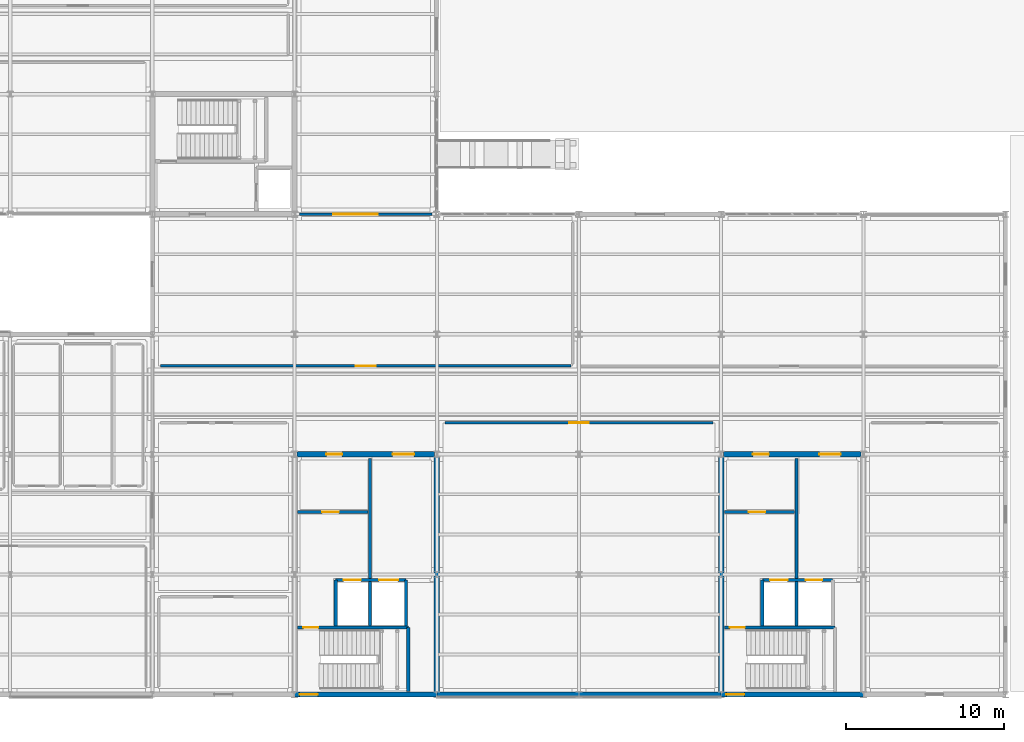
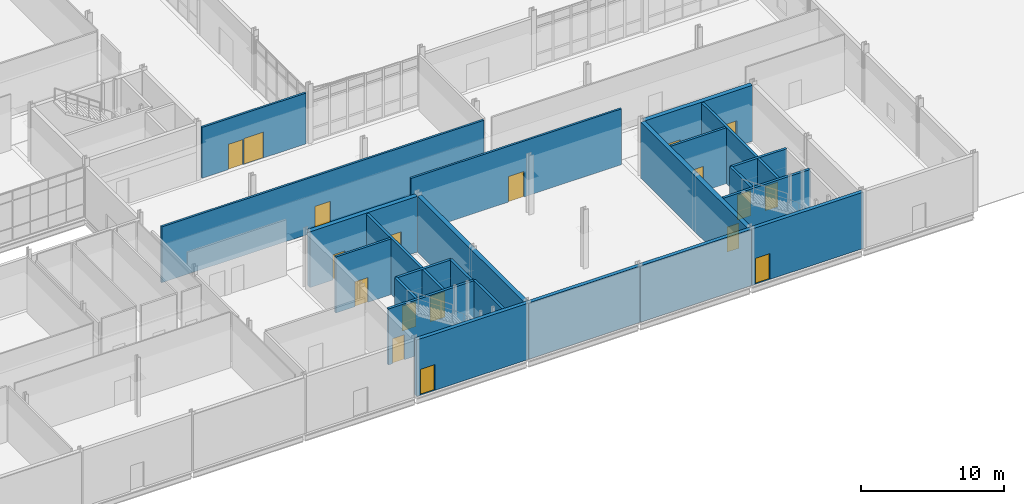
# One storey, part 141 of 161: 23 walls, 18 doors, 18 openings.
"""IFC4 building model written with IfcOpenShell, lengths in metres."""

from ifc_helpers import new_model, si_unit, direction, frame, frame_2d, origin, place, context, subcontext, project, spatial, rectangle, extrude, material, layer, layer_set, type_object, element, fill, save


model = new_model("IFC4")

# Units and contexts
model_context = context("Model", 3, precision=1e-05, world=origin(), true_north=direction((0.0, 1.0)))
body_context = subcontext(model_context, "Body", "Model", "MODEL_VIEW")
ifc_project = project(units=[si_unit("LENGTHUNIT", "METRE"), si_unit("AREAUNIT", "SQUARE_METRE"), si_unit("VOLUMEUNIT", "CUBIC_METRE"), si_unit("PLANEANGLEUNIT", "RADIAN"), si_unit("MASSUNIT", "GRAM", prefix="KILO")], contexts=[model_context])

# Site, building, storey
site_placement = place(None, origin())
site = spatial("IfcSite", under=ifc_project, at=site_placement, CompositionType="ELEMENT")
building_placement = place(site_placement, origin())
building = spatial("IfcBuilding", under=site, at=building_placement, Name="Caisbarro Railhouse Central Library", CompositionType="ELEMENT")
storey_placement = place(building_placement, origin())
storey = spatial("IfcBuildingStorey", under=building, at=storey_placement, Name="L00", CompositionType="ELEMENT", Elevation=0.0)

# Wall, openings, doors
ifc_material_1 = material(Name="Concrete C40", Category="concrete")
ifc_layer_1 = layer(ifc_material_1, 0.35009765625, Name="Concrete C40")
ifc_layer_set_1 = layer_set([ifc_layer_1], Name="Concrete C40")
wall_type_1 = type_object("IfcWallType", Name="WAL-CW35", PredefinedType="SHEAR", material=ifc_layer_set_1)
wall_1_placement = place(storey_placement, frame((63.159912109375, 15.199951171875, 0.0), z_axis=(0.0, 0.0, 1.0), x_axis=(1.0, 0.0, 0.0)))
wall_1 = element("IfcWall", 1, at=wall_1_placement, inside=storey, type_object=wall_type_1, Name="CW35 RC core shear wall L00 #4", PredefinedType="SHEAR", context=body_context, shape_type="SweptSolid", body=[
    extrude(rectangle(XDim=8.68017578125, YDim=0.35009765625, at=frame_2d((4.340087890625, 0.0))), origin(), (0.0, 0.0, 1.0), 4.760009765625),
])
opening_1_placement = place(wall_1_placement, frame((1.85009765625, 0.0, 0.0)))
opening_1 = element("IfcOpeningElement", 2, at=opening_1_placement, cuts=wall_1, Name="Opening FD05", PredefinedType="OPENING", context=body_context, shape_type="SweptSolid", body=[
    extrude(rectangle(XDim=1.0, YDim=2.14990234375, at=frame_2d((0.5, 1.074951171875))), frame((0.0, 0.18505859375, 0.0), z_axis=(0.0, -1.0, 0.0), x_axis=(1.0, 0.0, 0.0)), (0.0, 0.0, 1.0), 0.3701171875),
])
opening_2_placement = place(wall_1_placement, frame((6.050048828125, 0.0, 0.0)))
opening_2 = element("IfcOpeningElement", 3, at=opening_2_placement, cuts=wall_1, Name="Opening FD06", PredefinedType="OPENING", context=body_context, shape_type="SweptSolid", body=[
    extrude(rectangle(XDim=1.35009765625, YDim=2.179931640625, at=frame_2d((0.675048828125, 1.08984375))), frame((0.0, 0.18505859375, 0.0), z_axis=(0.0, -1.0, 0.0), x_axis=(1.0, 0.0, 0.0)), (0.0, 0.0, 1.0), 0.3701171875),
])
ifc_material_2 = material(Name="Fire-rated painted galvanised steel", Category="steel")
door_type_1 = type_object("IfcDoorType", Name="DR-FD05", OperationType="NOTDEFINED", PredefinedType="DOOR", material=ifc_material_2)
door_1_placement = place(opening_1_placement, origin())
door_1 = element("IfcDoor", 4, at=door_1_placement, inside=storey, type_object=door_type_1, Name="Core K1 Vestibule Door FD05 L00-011", OperationType="SINGLE_SWING_LEFT", OverallHeight=2.14990234375, OverallWidth=1.0, PredefinedType="DOOR", context=body_context, shape_type="SweptSolid", body=[
    extrude(rectangle(XDim=1.0, YDim=2.14990234375, at=frame_2d((0.5, 1.074951171875))), frame((0.0, 0.02490234375, 0.0), z_axis=(0.0, -1.0, 0.0), x_axis=(1.0, 0.0, 0.0)), (0.0, 0.0, 1.0), 0.050048828125),
])
fill(opening_1, door_1)
door_type_2 = type_object("IfcDoorType", Name="DR-FD06", OperationType="NOTDEFINED", PredefinedType="DOOR", material=ifc_material_2)
door_2_placement = place(opening_2_placement, origin())
door_2 = element("IfcDoor", 5, at=door_2_placement, inside=storey, type_object=door_type_2, Name="Core K1 Lift Lobby Door FD06 L00-012", OperationType="SINGLE_SWING_RIGHT", OverallHeight=2.179931640625, OverallWidth=1.35009765625, PredefinedType="DOOR", context=body_context, shape_type="SweptSolid", body=[
    extrude(rectangle(XDim=1.35009765625, YDim=2.179931640625, at=frame_2d((0.675048828125, 1.08984375))), frame((0.0, 0.02490234375, 0.0), z_axis=(0.0, -1.0, 0.0), x_axis=(1.0, 0.0, 0.0)), (0.0, 0.0, 1.0), 0.050048828125),
])
fill(opening_2, door_2)

# Wall
wall_2_placement = place(storey_placement, frame((72.0, 0.159912109375, 0.0), z_axis=(0.0, 0.0, 1.0), x_axis=(0.0, 1.0, 0.0)))
element("IfcWall", 6, at=wall_2_placement, inside=storey, type_object=wall_type_1, Name="CW35 RC core shear wall L00 #6", PredefinedType="SHEAR", context=body_context, shape_type="SweptSolid", body=[
    extrude(rectangle(XDim=14.880126953125, YDim=0.35009765625, at=frame_2d((7.43994140625, 0.0))), origin(), (0.0, 0.0, 1.0), 4.760009765625),
])

# Wall, openings, doors
wall_3_placement = place(storey_placement, frame((90.159912109375, 15.199951171875, 0.0), z_axis=(0.0, 0.0, 1.0), x_axis=(1.0, 0.0, 0.0)))
wall_3 = element("IfcWall", 7, at=wall_3_placement, inside=storey, type_object=wall_type_1, Name="CW35 RC core shear wall L00 #23", PredefinedType="SHEAR", context=body_context, shape_type="SweptSolid", body=[
    extrude(rectangle(XDim=8.68017578125, YDim=0.35009765625, at=frame_2d((4.340087890625, 0.0))), origin(), (0.0, 0.0, 1.0), 4.760009765625),
])
opening_3_placement = place(wall_3_placement, frame((1.85009765625, 0.0, 0.0)))
opening_3 = element("IfcOpeningElement", 8, at=opening_3_placement, cuts=wall_3, Name="Opening FD05", PredefinedType="OPENING", context=body_context, shape_type="SweptSolid", body=[
    extrude(rectangle(XDim=1.0, YDim=2.14990234375, at=frame_2d((0.5, 1.074951171875))), frame((0.0, 0.18505859375, 0.0), z_axis=(0.0, -1.0, 0.0), x_axis=(1.0, 0.0, 0.0)), (0.0, 0.0, 1.0), 0.3701171875),
])
opening_4_placement = place(wall_3_placement, frame((6.050048828125, 0.0, 0.0)))
opening_4 = element("IfcOpeningElement", 9, at=opening_4_placement, cuts=wall_3, Name="Opening FD06", PredefinedType="OPENING", context=body_context, shape_type="SweptSolid", body=[
    extrude(rectangle(XDim=1.35009765625, YDim=2.179931640625, at=frame_2d((0.675048828125, 1.08984375))), frame((0.0, 0.18505859375, 0.0), z_axis=(0.0, -1.0, 0.0), x_axis=(1.0, 0.0, 0.0)), (0.0, 0.0, 1.0), 0.3701171875),
])
door_3_placement = place(opening_3_placement, origin())
door_3 = element("IfcDoor", 10, at=door_3_placement, inside=storey, type_object=door_type_1, Name="Core K2 Vestibule Door FD05 L00-053", OperationType="SINGLE_SWING_LEFT", OverallHeight=2.14990234375, OverallWidth=1.0, PredefinedType="DOOR", context=body_context, shape_type="SweptSolid", body=[
    extrude(rectangle(XDim=1.0, YDim=2.14990234375, at=frame_2d((0.5, 1.074951171875))), frame((0.0, 0.02490234375, 0.0), z_axis=(0.0, -1.0, 0.0), x_axis=(1.0, 0.0, 0.0)), (0.0, 0.0, 1.0), 0.050048828125),
])
fill(opening_3, door_3)
door_4_placement = place(opening_4_placement, origin())
door_4 = element("IfcDoor", 11, at=door_4_placement, inside=storey, type_object=door_type_2, Name="Core K2 Lift Lobby Door FD06 L00-054", OperationType="SINGLE_SWING_RIGHT", OverallHeight=2.179931640625, OverallWidth=1.35009765625, PredefinedType="DOOR", context=body_context, shape_type="SweptSolid", body=[
    extrude(rectangle(XDim=1.35009765625, YDim=2.179931640625, at=frame_2d((0.675048828125, 1.08984375))), frame((0.0, 0.02490234375, 0.0), z_axis=(0.0, -1.0, 0.0), x_axis=(1.0, 0.0, 0.0)), (0.0, 0.0, 1.0), 0.050048828125),
])
fill(opening_4, door_4)

# Wall
wall_4_placement = place(storey_placement, frame((90.0, 0.159912109375, 0.0), z_axis=(0.0, 0.0, 1.0), x_axis=(0.0, 1.0, 0.0)))
element("IfcWall", 12, at=wall_4_placement, inside=storey, type_object=wall_type_1, Name="CW35 RC core shear wall L00 #24", PredefinedType="SHEAR", context=body_context, shape_type="SweptSolid", body=[
    extrude(rectangle(XDim=14.880126953125, YDim=0.35009765625, at=frame_2d((7.43994140625, 0.0))), origin(), (0.0, 0.0, 1.0), 4.760009765625),
])

# Wall, opening, door
ifc_layer_2 = layer(ifc_material_1, 0.300048828125, Name="Concrete C40")
ifc_layer_set_2 = layer_set([ifc_layer_2], Name="Concrete C40")
wall_type_2 = type_object("IfcWallType", Name="WAL-EW30", PredefinedType="SOLIDWALL", material=ifc_layer_set_2)
wall_5_placement = place(storey_placement, frame((63.0, 0.0, 0.0), z_axis=(0.0, 0.0, 1.0), x_axis=(1.0, 0.0, 0.0)))
wall_5 = element("IfcWall", 13, at=wall_5_placement, inside=storey, type_object=wall_type_2, Name="EW30 exterior wall L00 #70", PredefinedType="SOLIDWALL", context=body_context, shape_type="SweptSolid", body=[
    extrude(rectangle(XDim=9.0, YDim=0.300048828125, at=frame_2d((4.5, 0.0))), origin(), (0.0, 0.0, 1.0), 4.800048828125),
])
opening_5_placement = place(wall_5_placement, frame((0.320068359375, 0.0, 0.0)))
opening_5 = element("IfcOpeningElement", 14, at=opening_5_placement, cuts=wall_5, Name="Opening ED05", PredefinedType="OPENING", context=body_context, shape_type="SweptSolid", body=[
    extrude(rectangle(XDim=1.14990234375, YDim=2.199951171875, at=frame_2d((0.574951171875, 1.10009765625))), frame((0.0, 0.16015625, 0.0), z_axis=(0.0, -1.0, 0.0), x_axis=(1.0, 0.0, 0.0)), (0.0, 0.0, 1.0), 0.320068359375),
])
ifc_material_3 = material(Name="Galvanised painted hollow steel", Category="steel")
door_type_3 = type_object("IfcDoorType", Name="DR-ED05", OperationType="NOTDEFINED", PredefinedType="DOOR", material=ifc_material_3)
door_5_placement = place(opening_5_placement, frame((1.14990234375, 0.0, 0.0), z_axis=(0.0, 0.0, 1.0), x_axis=(-1.0, 0.0, 0.0)))
door_5 = element("IfcDoor", 15, at=door_5_placement, inside=storey, type_object=door_type_3, Name="Exit Door ED05 L00-16", OperationType="SINGLE_SWING_RIGHT", OverallHeight=2.199951171875, OverallWidth=1.14990234375, PredefinedType="DOOR", context=body_context, shape_type="SweptSolid", body=[
    extrude(rectangle(XDim=1.14990234375, YDim=2.199951171875, at=frame_2d((0.574951171875, 1.10009765625))), frame((0.0, 0.02490234375, 0.0), z_axis=(0.0, -1.0, 0.0), x_axis=(1.0, 0.0, 0.0)), (0.0, 0.0, 1.0), 0.050048828125),
])
fill(opening_5, door_5)

# Walls
for number, where, z_axis, x_axis, name in (
    (16, (72.0, 0.0, 0.0), (0.0, 0.0, 1.0), (1.0, 0.0, 0.0), "EW30 exterior wall L00 #71"),
    (17, (81.0, 0.0, 0.0), (0.0, 0.0, 1.0), (1.0, 0.0, 0.0), "EW30 exterior wall L00 #72"),
):
    element("IfcWall", number, at=place(storey_placement, frame(where, z_axis=z_axis, x_axis=x_axis)), inside=storey, type_object=wall_type_2, Name=name, PredefinedType="SOLIDWALL", context=body_context, shape_type="SweptSolid", body=[
        extrude(rectangle(XDim=9.0, YDim=0.300048828125, at=frame_2d((4.5, 0.0))), origin(), (0.0, 0.0, 1.0), 4.800048828125),
    ])

# Wall, opening, door
wall_6_placement = place(storey_placement, frame((90.0, 0.0, 0.0), z_axis=(0.0, 0.0, 1.0), x_axis=(1.0, 0.0, 0.0)))
wall_6 = element("IfcWall", 18, at=wall_6_placement, inside=storey, type_object=wall_type_2, Name="EW30 exterior wall L00 #74", PredefinedType="SOLIDWALL", context=body_context, shape_type="SweptSolid", body=[
    extrude(rectangle(XDim=9.0, YDim=0.300048828125, at=frame_2d((4.5, 0.0))), origin(), (0.0, 0.0, 1.0), 4.800048828125),
])
opening_6_placement = place(wall_6_placement, frame((0.320068359375, 0.0, 0.0)))
opening_6 = element("IfcOpeningElement", 19, at=opening_6_placement, cuts=wall_6, Name="Opening ED05", PredefinedType="OPENING", context=body_context, shape_type="SweptSolid", body=[
    extrude(rectangle(XDim=1.14990234375, YDim=2.199951171875, at=frame_2d((0.574951171875, 1.10009765625))), frame((0.0, 0.16015625, 0.0), z_axis=(0.0, -1.0, 0.0), x_axis=(1.0, 0.0, 0.0)), (0.0, 0.0, 1.0), 0.320068359375),
])
door_6_placement = place(opening_6_placement, frame((1.14990234375, 0.0, 0.0), z_axis=(0.0, 0.0, 1.0), x_axis=(-1.0, 0.0, 0.0)))
door_6 = element("IfcDoor", 20, at=door_6_placement, inside=storey, type_object=door_type_3, Name="Exit Door ED05 L00-18", OperationType="SINGLE_SWING_LEFT", OverallHeight=2.199951171875, OverallWidth=1.14990234375, PredefinedType="DOOR", context=body_context, shape_type="SweptSolid", body=[
    extrude(rectangle(XDim=1.14990234375, YDim=2.199951171875, at=frame_2d((0.574951171875, 1.10009765625))), frame((0.0, 0.02490234375, 0.0), z_axis=(0.0, -1.0, 0.0), x_axis=(1.0, 0.0, 0.0)), (0.0, 0.0, 1.0), 0.050048828125),
])
fill(opening_6, door_6)

# Wall, openings, doors
ifc_material_4 = material(Name="Plastered cellular concrete masonry", Category="masonry")
ifc_layer_3 = layer(ifc_material_4, 0.169921875, Name="Plastered cellular concrete masonry")
ifc_layer_set_3 = layer_set([ifc_layer_3], Name="Plastered cellular concrete masonry")
wall_type_3 = type_object("IfcWallType", Name="WAL-IW17", PredefinedType="PARTITIONING", material=ifc_layer_set_3)
wall_7_placement = place(storey_placement, frame((63.300048828125, 30.39990234375, 0.0), z_axis=(0.0, 0.0, 1.0), x_axis=(1.0, 0.0, 0.0)))
wall_7 = element("IfcWall", 21, at=wall_7_placement, inside=storey, type_object=wall_type_3, Name="IW17 partition wall L00 #259", PredefinedType="PARTITIONING", context=body_context, shape_type="SweptSolid", body=[
    extrude(rectangle(XDim=8.39990234375, YDim=0.169921875, at=frame_2d((4.199951171875, 0.0))), origin(), (0.0, 0.0, 1.0), 4.3310546875),
])
opening_7_placement = place(wall_7_placement, frame((3.39990234375, 0.0, 0.0)))
opening_7 = element("IfcOpeningElement", 22, at=opening_7_placement, cuts=wall_7, Name="Opening FD07", PredefinedType="OPENING", context=body_context, shape_type="SweptSolid", body=[
    extrude(rectangle(XDim=1.550048828125, YDim=2.199951171875, at=frame_2d((0.77490234375, 1.10009765625))), frame((0.0, 0.094970703125, 0.0), z_axis=(0.0, -1.0, 0.0), x_axis=(1.0, 0.0, 0.0)), (0.0, 0.0, 1.0), 0.18994140625),
])
opening_8_placement = place(wall_7_placement, frame((2.14990234375, 0.0, 0.0)))
opening_8 = element("IfcOpeningElement", 23, at=opening_8_placement, cuts=wall_7, Name="Opening FD03", PredefinedType="OPENING", context=body_context, shape_type="SweptSolid", body=[
    extrude(rectangle(XDim=1.14990234375, YDim=2.14990234375, at=frame_2d((0.574951171875, 1.074951171875))), frame((0.0, 0.094970703125, 0.0), z_axis=(0.0, -1.0, 0.0), x_axis=(1.0, 0.0, 0.0)), (0.0, 0.0, 1.0), 0.18994140625),
])
door_type_4 = type_object("IfcDoorType", Name="DR-FD03", OperationType="NOTDEFINED", PredefinedType="DOOR", material=ifc_material_2)
door_7_placement = place(opening_8_placement, origin())
door_7 = element("IfcDoor", 24, at=door_7_placement, inside=storey, type_object=door_type_4, Name="Main Entrance Foyer Door FD03 L00-220", OperationType="SINGLE_SWING_RIGHT", OverallHeight=2.14990234375, OverallWidth=1.14990234375, PredefinedType="DOOR", context=body_context, shape_type="SweptSolid", body=[
    extrude(rectangle(XDim=1.14990234375, YDim=2.14990234375, at=frame_2d((0.574951171875, 1.074951171875))), frame((0.0, 0.02490234375, 0.0), z_axis=(0.0, -1.0, 0.0), x_axis=(1.0, 0.0, 0.0)), (0.0, 0.0, 1.0), 0.050048828125),
])
fill(opening_8, door_7)
door_type_5 = type_object("IfcDoorType", Name="DR-FD07", OperationType="NOTDEFINED", PredefinedType="DOOR", material=ifc_material_2)
door_8_placement = place(opening_7_placement, origin())
door_8 = element("IfcDoor", 25, at=door_8_placement, inside=storey, type_object=door_type_5, Name="Hall-Archive Interconnecting Door FD07 L00-174", OperationType="SINGLE_SWING_RIGHT", OverallHeight=2.199951171875, OverallWidth=1.550048828125, PredefinedType="DOOR", context=body_context, shape_type="SweptSolid", body=[
    extrude(rectangle(XDim=1.550048828125, YDim=2.199951171875, at=frame_2d((0.77490234375, 1.10009765625))), frame((0.0, 0.02490234375, 0.0), z_axis=(0.0, -1.0, 0.0), x_axis=(1.0, 0.0, 0.0)), (0.0, 0.0, 1.0), 0.050048828125),
])
fill(opening_7, door_8)

# Wall, opening, door
wall_8_placement = place(storey_placement, frame((72.52001953125, 17.199951171875, 0.0), z_axis=(0.0, 0.0, 1.0), x_axis=(1.0, 0.0, 0.0)))
wall_8 = element("IfcWall", 26, at=wall_8_placement, inside=storey, type_object=wall_type_3, Name="IW17 partition wall L00 #287", PredefinedType="PARTITIONING", context=body_context, shape_type="SweptSolid", body=[
    extrude(rectangle(XDim=16.9599609375, YDim=0.169921875, at=frame_2d((8.47998046875, 0.0))), origin(), (0.0, 0.0, 1.0), 4.760009765625),
])
opening_9_placement = place(wall_8_placement, frame((7.85498046875, 0.0, 0.0)))
opening_9 = element("IfcOpeningElement", 27, at=opening_9_placement, cuts=wall_8, Name="Opening FD04", PredefinedType="OPENING", context=body_context, shape_type="SweptSolid", body=[
    extrude(rectangle(XDim=1.25, YDim=2.179931640625, at=frame_2d((0.625, 1.08984375))), frame((0.0, 0.094970703125, 0.0), z_axis=(0.0, -1.0, 0.0), x_axis=(1.0, 0.0, 0.0)), (0.0, 0.0, 1.0), 0.18994140625),
])
door_type_6 = type_object("IfcDoorType", Name="DR-FD04", OperationType="NOTDEFINED", PredefinedType="DOOR", material=ifc_material_2)
door_9_placement = place(opening_9_placement, origin())
door_9 = element("IfcDoor", 28, at=door_9_placement, inside=storey, type_object=door_type_6, Name="Closed Archival Stacks Central Door FD04 L00-188", OperationType="SINGLE_SWING_RIGHT", OverallHeight=2.179931640625, OverallWidth=1.25, PredefinedType="DOOR", context=body_context, shape_type="SweptSolid", body=[
    extrude(rectangle(XDim=1.25, YDim=2.179931640625, at=frame_2d((0.625, 1.08984375))), frame((0.0, 0.02490234375, 0.0), z_axis=(0.0, -1.0, 0.0), x_axis=(1.0, 0.0, 0.0)), (0.0, 0.0, 1.0), 0.050048828125),
])
fill(opening_9, door_9)

wall_9_placement = place(storey_placement, frame((54.52001953125, 20.800048828125, 0.0), z_axis=(0.0, 0.0, 1.0), x_axis=(1.0, 0.0, 0.0)))
wall_9 = element("IfcWall", 29, at=wall_9_placement, inside=storey, type_object=wall_type_3, Name="IW17 partition wall L00 #289", PredefinedType="PARTITIONING", context=body_context, shape_type="SweptSolid", body=[
    extrude(rectangle(XDim=25.9599609375, YDim=0.169921875, at=frame_2d((12.97998046875, 0.0))), origin(), (0.0, 0.0, 1.0), 4.760009765625),
])
opening_10_placement = place(wall_9_placement, frame((12.35498046875, 0.0, 0.0)))
opening_10 = element("IfcOpeningElement", 30, at=opening_10_placement, cuts=wall_9, Name="Opening FD04", PredefinedType="OPENING", context=body_context, shape_type="SweptSolid", body=[
    extrude(rectangle(XDim=1.25, YDim=2.179931640625, at=frame_2d((0.625, 1.08984375))), frame((0.0, 0.094970703125, 0.0), z_axis=(0.0, -1.0, 0.0), x_axis=(1.0, 0.0, 0.0)), (0.0, 0.0, 1.0), 0.18994140625),
])
door_10_placement = place(opening_10_placement, origin())
door_10 = element("IfcDoor", 31, at=door_10_placement, inside=storey, type_object=door_type_6, Name="Closed Archival Stacks North Door FD04 L00-190", OperationType="SINGLE_SWING_RIGHT", OverallHeight=2.179931640625, OverallWidth=1.25, PredefinedType="DOOR", context=body_context, shape_type="SweptSolid", body=[
    extrude(rectangle(XDim=1.25, YDim=2.179931640625, at=frame_2d((0.625, 1.08984375))), frame((0.0, 0.02490234375, 0.0), z_axis=(0.0, -1.0, 0.0), x_axis=(1.0, 0.0, 0.0)), (0.0, 0.0, 1.0), 0.050048828125),
])
fill(opening_10, door_10)

ifc_layer_4 = layer(ifc_material_4, 0.18994140625, Name="Plastered cellular concrete masonry")
ifc_layer_set_4 = layer_set([ifc_layer_4], Name="Plastered cellular concrete masonry")
wall_type_4 = type_object("IfcWallType", Name="WAL-SW19", PredefinedType="SOLIDWALL", material=ifc_layer_set_4)
wall_10_placement = place(storey_placement, frame((63.199951171875, 11.550048828125, 0.0), z_axis=(0.0, 0.0, 1.0), x_axis=(1.0, 0.0, 0.0)))
wall_10 = element("IfcWall", 32, at=wall_10_placement, inside=storey, type_object=wall_type_4, Name="SW19 partition wall L00 #14", PredefinedType="SOLIDWALL", context=body_context, shape_type="SweptSolid", body=[
    extrude(rectangle(XDim=4.449951171875, YDim=0.18994140625, at=frame_2d((2.22509765625, 0.0))), origin(), (0.0, 0.0, 1.0), 4.760009765625),
])
opening_11_placement = place(wall_10_placement, frame((1.550048828125, 0.0, 0.0)))
opening_11 = element("IfcOpeningElement", 33, at=opening_11_placement, cuts=wall_10, Name="Opening FD02", PredefinedType="OPENING", context=body_context, shape_type="SweptSolid", body=[
    extrude(rectangle(XDim=1.050048828125, YDim=2.1201171875, at=frame_2d((0.52490234375, 1.06005859375))), frame((0.0, 0.10498046875, 0.0), z_axis=(0.0, -1.0, 0.0), x_axis=(1.0, 0.0, 0.0)), (0.0, 0.0, 1.0), 0.2099609375),
])
door_type_7 = type_object("IfcDoorType", Name="DR-FD02", OperationType="NOTDEFINED", PredefinedType="DOOR", material=ifc_material_2)
door_11_placement = place(opening_11_placement, origin())
door_11 = element("IfcDoor", 34, at=door_11_placement, inside=storey, type_object=door_type_7, Name="Firefighting Lobby K1 Door FD02 L00-010", OperationType="SINGLE_SWING_RIGHT", OverallHeight=2.1201171875, OverallWidth=1.050048828125, PredefinedType="DOOR", context=body_context, shape_type="SweptSolid", body=[
    extrude(rectangle(XDim=1.050048828125, YDim=2.1201171875, at=frame_2d((0.52490234375, 1.06005859375))), frame((0.0, 0.02490234375, 0.0), z_axis=(0.0, -1.0, 0.0), x_axis=(1.0, 0.0, 0.0)), (0.0, 0.0, 1.0), 0.050048828125),
])
fill(opening_11, door_11)

wall_11_placement = place(storey_placement, frame((90.199951171875, 11.550048828125, 0.0), z_axis=(0.0, 0.0, 1.0), x_axis=(1.0, 0.0, 0.0)))
wall_11 = element("IfcWall", 35, at=wall_11_placement, inside=storey, type_object=wall_type_4, Name="SW19 partition wall L00 #63", PredefinedType="SOLIDWALL", context=body_context, shape_type="SweptSolid", body=[
    extrude(rectangle(XDim=4.449951171875, YDim=0.18994140625, at=frame_2d((2.22509765625, 0.0))), origin(), (0.0, 0.0, 1.0), 4.760009765625),
])
opening_12_placement = place(wall_11_placement, frame((1.550048828125, 0.0, 0.0)))
opening_12 = element("IfcOpeningElement", 36, at=opening_12_placement, cuts=wall_11, Name="Opening FD02", PredefinedType="OPENING", context=body_context, shape_type="SweptSolid", body=[
    extrude(rectangle(XDim=1.050048828125, YDim=2.1201171875, at=frame_2d((0.52490234375, 1.06005859375))), frame((0.0, 0.10498046875, 0.0), z_axis=(0.0, -1.0, 0.0), x_axis=(1.0, 0.0, 0.0)), (0.0, 0.0, 1.0), 0.2099609375),
])
door_12_placement = place(opening_12_placement, origin())
door_12 = element("IfcDoor", 37, at=door_12_placement, inside=storey, type_object=door_type_7, Name="Firefighting Lobby K2 Door FD02 L00-052", OperationType="SINGLE_SWING_RIGHT", OverallHeight=2.1201171875, OverallWidth=1.050048828125, PredefinedType="DOOR", context=body_context, shape_type="SweptSolid", body=[
    extrude(rectangle(XDim=1.050048828125, YDim=2.1201171875, at=frame_2d((0.52490234375, 1.06005859375))), frame((0.0, 0.02490234375, 0.0), z_axis=(0.0, -1.0, 0.0), x_axis=(1.0, 0.0, 0.0)), (0.0, 0.0, 1.0), 0.050048828125),
])
fill(opening_12, door_12)

ifc_layer_5 = layer(ifc_material_1, 0.2099609375, Name="Concrete C40")
ifc_layer_set_5 = layer_set([ifc_layer_5], Name="Concrete C40")
wall_type_5 = type_object("IfcWallType", Name="WAL-SW21", PredefinedType="SOLIDWALL", material=ifc_layer_set_5)
wall_12_placement = place(storey_placement, frame((63.199951171875, 4.25, 0.0), z_axis=(0.0, 0.0, 1.0), x_axis=(1.0, 0.0, 0.0)))
wall_12 = element("IfcWall", 38, at=wall_12_placement, inside=storey, type_object=wall_type_5, Name="SW21 core shaft wall L00 #8", PredefinedType="SOLIDWALL", context=body_context, shape_type="SweptSolid", body=[
    extrude(rectangle(XDim=7.0, YDim=0.2099609375, at=frame_2d((3.5, 0.0))), origin(), (0.0, 0.0, 1.0), 4.760009765625),
])
opening_13_placement = place(wall_12_placement, frame((0.35009765625, 0.0, 0.0)))
opening_13 = element("IfcOpeningElement", 39, at=opening_13_placement, cuts=wall_12, Name="Opening FD01", PredefinedType="OPENING", context=body_context, shape_type="SweptSolid", body=[
    extrude(rectangle(XDim=0.949951171875, YDim=2.1201171875, at=frame_2d((0.47509765625, 1.06005859375))), frame((0.0, 0.114990234375, 0.0), z_axis=(0.0, -1.0, 0.0), x_axis=(1.0, 0.0, 0.0)), (0.0, 0.0, 1.0), 0.22998046875),
])
door_type_8 = type_object("IfcDoorType", Name="DR-FD01", OperationType="NOTDEFINED", PredefinedType="DOOR", material=ifc_material_2)
door_13_placement = place(opening_13_placement, origin())
door_13 = element("IfcDoor", 40, at=door_13_placement, inside=storey, type_object=door_type_8, Name="Stair ST-01 Fire Door FD01 L00-007", OperationType="SINGLE_SWING_LEFT", OverallHeight=2.1201171875, OverallWidth=0.949951171875, PredefinedType="DOOR", context=body_context, shape_type="SweptSolid", body=[
    extrude(rectangle(XDim=0.949951171875, YDim=2.1201171875, at=frame_2d((0.47509765625, 1.06005859375))), frame((0.0, 0.02490234375, 0.0), z_axis=(0.0, -1.0, 0.0), x_axis=(1.0, 0.0, 0.0)), (0.0, 0.0, 1.0), 0.050048828125),
])
fill(opening_13, door_13)

# Walls
wall_13_placement = place(storey_placement, frame((70.199951171875, 0.199951171875, 0.0), z_axis=(0.0, 0.0, 1.0), x_axis=(0.0, 1.0, 0.0)))
element("IfcWall", 41, at=wall_13_placement, inside=storey, type_object=wall_type_5, Name="SW21 core shaft wall L00 #9", PredefinedType="SOLIDWALL", context=body_context, shape_type="SweptSolid", body=[
    extrude(rectangle(XDim=4.050048828125, YDim=0.2099609375, at=frame_2d((2.02490234375, 0.0))), origin(), (0.0, 0.0, 1.0), 4.760009765625),
])
wall_14_placement = place(storey_placement, frame((65.60009765625, 4.35009765625, 0.0), z_axis=(0.0, 0.0, 1.0), x_axis=(0.0, 1.0, 0.0)))
element("IfcWall", 42, at=wall_14_placement, inside=storey, type_object=wall_type_5, Name="SW21 core shaft wall L00 #10", PredefinedType="SOLIDWALL", context=body_context, shape_type="SweptSolid", body=[
    extrude(rectangle(XDim=2.89990234375, YDim=0.2099609375, at=frame_2d((1.449951171875, 0.0))), origin(), (0.0, 0.0, 1.0), 4.760009765625),
])
wall_15_placement = place(storey_placement, frame((67.77001953125, 4.35009765625, 0.0), z_axis=(0.0, 0.0, 1.0), x_axis=(0.0, 1.0, 0.0)))
element("IfcWall", 43, at=wall_15_placement, inside=storey, type_object=wall_type_5, Name="SW21 core shaft wall L00 #11", PredefinedType="SOLIDWALL", context=body_context, shape_type="SweptSolid", body=[
    extrude(rectangle(XDim=10.599853515625, YDim=0.2099609375, at=frame_2d((5.2998046875, 0.0))), origin(), (0.0, 0.0, 1.0), 4.760009765625),
])
wall_16_placement = place(storey_placement, frame((70.050048828125, 4.35009765625, 0.0), z_axis=(0.0, 0.0, 1.0), x_axis=(0.0, 1.0, 0.0)))
element("IfcWall", 44, at=wall_16_placement, inside=storey, type_object=wall_type_5, Name="SW21 core shaft wall L00 #12", PredefinedType="SOLIDWALL", context=body_context, shape_type="SweptSolid", body=[
    extrude(rectangle(XDim=2.89990234375, YDim=0.2099609375, at=frame_2d((1.449951171875, 0.0))), origin(), (0.0, 0.0, 1.0), 4.760009765625),
])

# Wall, openings, doors
wall_17_placement = place(storey_placement, frame((65.60009765625, 7.25, 0.0), z_axis=(0.0, 0.0, 1.0), x_axis=(1.0, 0.0, 0.0)))
wall_17 = element("IfcWall", 45, at=wall_17_placement, inside=storey, type_object=wall_type_5, Name="SW21 core shaft wall L00 #13", PredefinedType="SOLIDWALL", context=body_context, shape_type="SweptSolid", body=[
    extrude(rectangle(XDim=4.449951171875, YDim=0.2099609375, at=frame_2d((2.22509765625, 0.0))), origin(), (0.0, 0.0, 1.0), 4.760009765625),
])
opening_14_placement = place(wall_17_placement, frame((0.5, 0.0, 0.0)))
opening_14 = element("IfcOpeningElement", 46, at=opening_14_placement, cuts=wall_17, Name="Opening LD01", PredefinedType="OPENING", context=body_context, shape_type="SweptSolid", body=[
    extrude(rectangle(XDim=1.10009765625, YDim=2.139892578125, at=frame_2d((0.550048828125, 1.06982421875))), frame((0.0, 0.114990234375, 0.0), z_axis=(0.0, -1.0, 0.0), x_axis=(1.0, 0.0, 0.0)), (0.0, 0.0, 1.0), 0.22998046875),
])
opening_15_placement = place(wall_17_placement, frame((2.75, 0.0, 0.0)))
opening_15 = element("IfcOpeningElement", 47, at=opening_15_placement, cuts=wall_17, Name="Opening LD03", PredefinedType="OPENING", context=body_context, shape_type="SweptSolid", body=[
    extrude(rectangle(XDim=1.199951171875, YDim=2.179931640625, at=frame_2d((0.60009765625, 1.08984375))), frame((0.0, 0.114990234375, 0.0), z_axis=(0.0, -1.0, 0.0), x_axis=(1.0, 0.0, 0.0)), (0.0, 0.0, 1.0), 0.22998046875),
])
ifc_material_5 = material(Name="Brushed stainless steel elevator cab", Category="steel")
door_type_9 = type_object("IfcDoorType", Name="DR-LD01", OperationType="NOTDEFINED", PredefinedType="DOOR", material=ifc_material_5)
door_14_placement = place(opening_14_placement, origin())
door_14 = element("IfcDoor", 48, at=door_14_placement, inside=storey, type_object=door_type_9, Name="Lift FL-01 Landing Door LD01 L00-008", OperationType="SLIDING_TO_LEFT", OverallHeight=2.139892578125, OverallWidth=1.10009765625, PredefinedType="DOOR", context=body_context, shape_type="SweptSolid", body=[
    extrude(rectangle(XDim=1.10009765625, YDim=2.139892578125, at=frame_2d((0.550048828125, 1.06982421875))), frame((0.0, 0.02490234375, 0.0), z_axis=(0.0, -1.0, 0.0), x_axis=(1.0, 0.0, 0.0)), (0.0, 0.0, 1.0), 0.050048828125),
])
fill(opening_14, door_14)
door_type_10 = type_object("IfcDoorType", Name="DR-LD03", OperationType="NOTDEFINED", PredefinedType="DOOR", material=ifc_material_5)
door_15_placement = place(opening_15_placement, origin())
door_15 = element("IfcDoor", 49, at=door_15_placement, inside=storey, type_object=door_type_10, Name="Lift BL-01 Landing Door LD03 L00-009", OperationType="SLIDING_TO_LEFT", OverallHeight=2.179931640625, OverallWidth=1.199951171875, PredefinedType="DOOR", context=body_context, shape_type="SweptSolid", body=[
    extrude(rectangle(XDim=1.199951171875, YDim=2.179931640625, at=frame_2d((0.60009765625, 1.08984375))), frame((0.0, 0.02490234375, 0.0), z_axis=(0.0, -1.0, 0.0), x_axis=(1.0, 0.0, 0.0)), (0.0, 0.0, 1.0), 0.050048828125),
])
fill(opening_15, door_15)

# Wall, opening, door
wall_18_placement = place(storey_placement, frame((90.199951171875, 4.25, 0.0), z_axis=(0.0, 0.0, 1.0), x_axis=(1.0, 0.0, 0.0)))
wall_18 = element("IfcWall", 50, at=wall_18_placement, inside=storey, type_object=wall_type_5, Name="SW21 core shaft wall L00 #57", PredefinedType="SOLIDWALL", context=body_context, shape_type="SweptSolid", body=[
    extrude(rectangle(XDim=7.0, YDim=0.2099609375, at=frame_2d((3.5, 0.0))), origin(), (0.0, 0.0, 1.0), 4.760009765625),
])
opening_16_placement = place(wall_18_placement, frame((0.35009765625, 0.0, 0.0)))
opening_16 = element("IfcOpeningElement", 51, at=opening_16_placement, cuts=wall_18, Name="Opening FD01", PredefinedType="OPENING", context=body_context, shape_type="SweptSolid", body=[
    extrude(rectangle(XDim=0.949951171875, YDim=2.1201171875, at=frame_2d((0.47509765625, 1.06005859375))), frame((0.0, 0.114990234375, 0.0), z_axis=(0.0, -1.0, 0.0), x_axis=(1.0, 0.0, 0.0)), (0.0, 0.0, 1.0), 0.22998046875),
])
door_16_placement = place(opening_16_placement, origin())
door_16 = element("IfcDoor", 52, at=door_16_placement, inside=storey, type_object=door_type_8, Name="Stair ST-02 Fire Door FD01 L00-049", OperationType="SINGLE_SWING_LEFT", OverallHeight=2.1201171875, OverallWidth=0.949951171875, PredefinedType="DOOR", context=body_context, shape_type="SweptSolid", body=[
    extrude(rectangle(XDim=0.949951171875, YDim=2.1201171875, at=frame_2d((0.47509765625, 1.06005859375))), frame((0.0, 0.02490234375, 0.0), z_axis=(0.0, -1.0, 0.0), x_axis=(1.0, 0.0, 0.0)), (0.0, 0.0, 1.0), 0.050048828125),
])
fill(opening_16, door_16)

# Walls
wall_19_placement = place(storey_placement, frame((92.60009765625, 4.35009765625, 0.0), z_axis=(0.0, 0.0, 1.0), x_axis=(0.0, 1.0, 0.0)))
element("IfcWall", 53, at=wall_19_placement, inside=storey, type_object=wall_type_5, Name="SW21 core shaft wall L00 #59", PredefinedType="SOLIDWALL", context=body_context, shape_type="SweptSolid", body=[
    extrude(rectangle(XDim=2.89990234375, YDim=0.2099609375, at=frame_2d((1.449951171875, 0.0))), origin(), (0.0, 0.0, 1.0), 4.760009765625),
])
wall_20_placement = place(storey_placement, frame((94.77001953125, 4.35009765625, 0.0), z_axis=(0.0, 0.0, 1.0), x_axis=(0.0, 1.0, 0.0)))
element("IfcWall", 54, at=wall_20_placement, inside=storey, type_object=wall_type_5, Name="SW21 core shaft wall L00 #60", PredefinedType="SOLIDWALL", context=body_context, shape_type="SweptSolid", body=[
    extrude(rectangle(XDim=10.599853515625, YDim=0.2099609375, at=frame_2d((5.2998046875, 0.0))), origin(), (0.0, 0.0, 1.0), 4.760009765625),
])

# Wall, openings, doors
wall_21_placement = place(storey_placement, frame((92.60009765625, 7.25, 0.0), z_axis=(0.0, 0.0, 1.0), x_axis=(1.0, 0.0, 0.0)))
wall_21 = element("IfcWall", 55, at=wall_21_placement, inside=storey, type_object=wall_type_5, Name="SW21 core shaft wall L00 #62", PredefinedType="SOLIDWALL", context=body_context, shape_type="SweptSolid", body=[
    extrude(rectangle(XDim=4.449951171875, YDim=0.2099609375, at=frame_2d((2.22509765625, 0.0))), origin(), (0.0, 0.0, 1.0), 4.760009765625),
])
opening_17_placement = place(wall_21_placement, frame((0.5, 0.0, 0.0)))
opening_17 = element("IfcOpeningElement", 56, at=opening_17_placement, cuts=wall_21, Name="Opening LD01", PredefinedType="OPENING", context=body_context, shape_type="SweptSolid", body=[
    extrude(rectangle(XDim=1.10009765625, YDim=2.139892578125, at=frame_2d((0.550048828125, 1.06982421875))), frame((0.0, 0.114990234375, 0.0), z_axis=(0.0, -1.0, 0.0), x_axis=(1.0, 0.0, 0.0)), (0.0, 0.0, 1.0), 0.22998046875),
])
opening_18_placement = place(wall_21_placement, frame((2.75, 0.0, 0.0)))
opening_18 = element("IfcOpeningElement", 57, at=opening_18_placement, cuts=wall_21, Name="Opening LD02", PredefinedType="OPENING", context=body_context, shape_type="SweptSolid", body=[
    extrude(rectangle(XDim=1.0400390625, YDim=2.10009765625, at=frame_2d((0.52001953125, 1.050048828125))), frame((0.0, 0.114990234375, 0.0), z_axis=(0.0, -1.0, 0.0), x_axis=(1.0, 0.0, 0.0)), (0.0, 0.0, 1.0), 0.22998046875),
])
door_17_placement = place(opening_17_placement, origin())
door_17 = element("IfcDoor", 58, at=door_17_placement, inside=storey, type_object=door_type_9, Name="Lift FL-02 Landing Door LD01 L00-050", OperationType="SLIDING_TO_LEFT", OverallHeight=2.139892578125, OverallWidth=1.10009765625, PredefinedType="DOOR", context=body_context, shape_type="SweptSolid", body=[
    extrude(rectangle(XDim=1.10009765625, YDim=2.139892578125, at=frame_2d((0.550048828125, 1.06982421875))), frame((0.0, 0.02490234375, 0.0), z_axis=(0.0, -1.0, 0.0), x_axis=(1.0, 0.0, 0.0)), (0.0, 0.0, 1.0), 0.050048828125),
])
fill(opening_17, door_17)
door_type_11 = type_object("IfcDoorType", Name="DR-LD02", OperationType="NOTDEFINED", PredefinedType="DOOR", material=ifc_material_5)
door_18_placement = place(opening_18_placement, origin())
door_18 = element("IfcDoor", 59, at=door_18_placement, inside=storey, type_object=door_type_11, Name="Lift PL-01 Landing Door LD02 L00-051", OperationType="SLIDING_TO_LEFT", OverallHeight=2.10009765625, OverallWidth=1.0400390625, PredefinedType="DOOR", context=body_context, shape_type="SweptSolid", body=[
    extrude(rectangle(XDim=1.0400390625, YDim=2.10009765625, at=frame_2d((0.52001953125, 1.050048828125))), frame((0.0, 0.02490234375, 0.0), z_axis=(0.0, -1.0, 0.0), x_axis=(1.0, 0.0, 0.0)), (0.0, 0.0, 1.0), 0.050048828125),
])
fill(opening_18, door_18)

save(model, "model.ifc")
